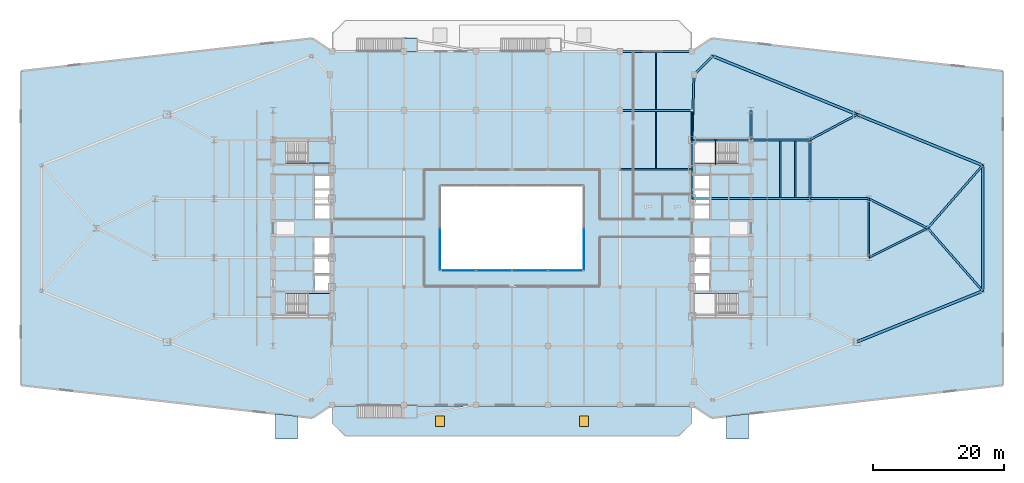
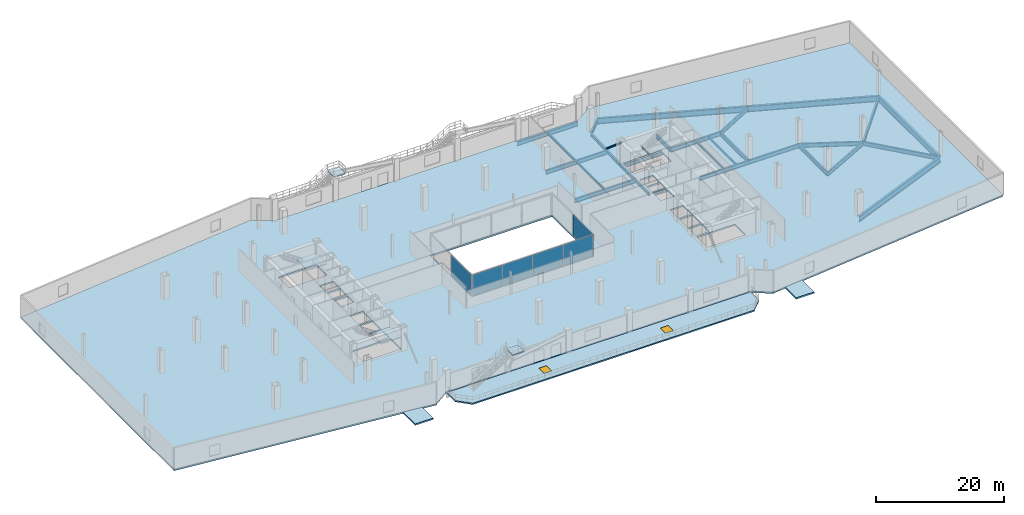
# One storey, part 13 of 25: 29 beams, 8 slabs, 6 plates, 2 windows, 1 member, 2 openings, 7 elements without a shape of their own.
"""IFC4 building model written with IfcOpenShell, lengths in metres."""

from ifc_helpers import new_model, si_unit, direction, frame, origin, origin_2d, place, context, subcontext, project, spatial, polyline, rectangle, hollow_circle, i_section, outline, extrude, source, transform, mapped, material, layer, layer_set, material_profile, profile_set, type_object, type_shapes, element, fill, aggregate, save


model = new_model("IFC4")

# Units and contexts
model_context = context("Model", 3, precision=1e-05, world=origin(), true_north=direction((0.0, 1.0)))
body_context = subcontext(model_context, "Body", "Model", "MODEL_VIEW")
ifc_project = project(units=[si_unit("LENGTHUNIT", "METRE"), si_unit("AREAUNIT", "SQUARE_METRE"), si_unit("VOLUMEUNIT", "CUBIC_METRE"), si_unit("PLANEANGLEUNIT", "RADIAN"), si_unit("MASSUNIT", "GRAM", prefix="KILO")], contexts=[model_context])

# Site, building, storey
site_placement = place(None, origin())
site = spatial("IfcSite", under=ifc_project, at=site_placement, CompositionType="ELEMENT")
building_placement = place(site_placement, origin())
building = spatial("IfcBuilding", under=site, at=building_placement, Name="Seokmaru Belvedere", CompositionType="ELEMENT")
storey_placement = place(building_placement, frame((0.0, 0.0, 5.39990234375)))
storey = spatial("IfcBuildingStorey", under=building, at=storey_placement, Name="L01", CompositionType="ELEMENT", Elevation=5.39990234375)

# Beams
ifc_material_1 = material(Name="Steel SM355 (355 MPa)", Category="steel")
ifc_material_profile_1 = material_profile(ifc_material_1, i_section(OverallWidth=0.300048828125, OverallDepth=0.587890625, WebThickness=0.011962890625, FlangeThickness=0.02001953125, at=origin_2d()), Name="H-588x300x12x20")
ifc_profile_set_1 = profile_set([ifc_material_profile_1], Name="Steel SM355 (355 MPa)")
beam_type_1 = type_object("IfcBeamType", Name="Podium Edge Spandrel Beam H-588", PredefinedType="SPANDREL", material=ifc_profile_set_1)
shared_shape_1 = source(origin(), body_context, "Body", "SweptSolid", [
    extrude(i_section(OverallWidth=0.300048828125, OverallDepth=0.587890625, WebThickness=0.011962890625, FlangeThickness=0.02001953125, at=origin_2d()), origin(), (0.0, 0.0, 1.0), 4.5),
])
for number, where, z_axis, x_axis, name in (
    (1, (27.5, 4.5, -0.573974609375), (0.0, 1.0, 0.0), (-1.0, 0.0, 0.0), "L01 E Portal Spine Spandrel 4"),
    (2, (27.5, 9.0, -0.573974609375), (0.0, 1.0, 0.0), (-1.0, 0.0, 0.0), "L01 E Portal Spine Spandrel 5"),
):
    element("IfcBeam", number, at=place(storey_placement, frame(where, z_axis=z_axis, x_axis=x_axis)), inside=storey, type_object=beam_type_1, Name=name, PredefinedType="SPANDREL", context=body_context, shape_type="MappedRepresentation", body=[
        mapped(shared_shape_1, transform((0.0, 0.0, 0.0), scale=1.0)),
    ])
ifc_material_profile_2 = material_profile(ifc_material_1, i_section(OverallWidth=0.39990234375, OverallDepth=1.10009765625, WebThickness=0.02001953125, FlangeThickness=0.033935546875, at=origin_2d()), Name="BH-1100x400x20x34")
ifc_profile_set_2 = profile_set([ifc_material_profile_2], Name="Steel SM355 (355 MPa)")
beam_type_2 = type_object("IfcBeamType", Name="Sky-Gate Transverse Girder BH-1100", PredefinedType="BEAM", material=ifc_profile_set_2)
shared_shape_2 = source(origin(), body_context, "Body", "SweptSolid", [
    extrude(i_section(OverallWidth=0.39990234375, OverallDepth=1.10009765625, WebThickness=0.02001953125, FlangeThickness=0.033935546875, at=origin_2d()), origin(), (0.0, 0.0, 1.0), 23.811767578125),
])
beam_1_placement = place(storey_placement, frame((30.643310546875, 26.294677734375, -0.829833984375), z_axis=(0.92694579442, -0.375195274766, 0.0), x_axis=(0.375195274766, 0.92694579442, 0.0)))
element("IfcBeam", 3, at=beam_1_placement, inside=storey, type_object=beam_type_2, Name="L01 E Podium Long-Span Flank Girder N-1", PredefinedType="BEAM", context=body_context, shape_type="MappedRepresentation", body=[
    mapped(shared_shape_2, transform((0.0, 0.0, 0.0), scale=1.0)),
])
shared_shape_3 = source(origin(), body_context, "Body", "SweptSolid", [
    extrude(i_section(OverallWidth=0.39990234375, OverallDepth=1.10009765625, WebThickness=0.02001953125, FlangeThickness=0.033935546875, at=origin_2d()), origin(), (0.0, 0.0, 1.0), 20.6962890625),
])
for number, where, z_axis, x_axis, name in (
    (4, (52.715576171875, -17.360595703125, -0.829833984375), (0.92695003666, 0.37518479385, 0.0), (-0.37518479385, 0.92695003666, 0.0), "L01 E Podium Long-Span Flank Girder S-2"),
    (5, (52.715576171875, 17.360595703125, -0.829833984375), (0.92695003666, -0.37518479385, 0.0), (0.37518479385, 0.92695003666, 0.0), "L01 E Podium Long-Span Flank Girder N-2"),
):
    element("IfcBeam", number, at=place(storey_placement, frame(where, z_axis=z_axis, x_axis=x_axis)), inside=storey, type_object=beam_type_2, Name=name, PredefinedType="BEAM", context=body_context, shape_type="MappedRepresentation", body=[
        mapped(shared_shape_3, transform((0.0, 0.0, 0.0), scale=1.0)),
    ])
shared_shape_4 = source(origin(), body_context, "Body", "SweptSolid", [
    extrude(i_section(OverallWidth=0.39990234375, OverallDepth=1.10009765625, WebThickness=0.02001953125, FlangeThickness=0.033935546875, at=origin_2d()), origin(), (0.0, 0.0, 1.0), 19.19140625),
])
type_shapes(beam_type_2, [shared_shape_2, shared_shape_3, shared_shape_4])
beam_2_placement = place(storey_placement, frame((71.89990234375, -9.595703125, -0.829833984375), z_axis=(0.0, 1.0, 0.0), x_axis=(-1.0, 0.0, 0.0)))
element("IfcBeam", 6, at=beam_2_placement, inside=storey, type_object=beam_type_2, Name="L01 E Podium Long-Span Apex Girder", PredefinedType="BEAM", context=body_context, shape_type="MappedRepresentation", body=[
    mapped(shared_shape_4, transform((0.0, 0.0, 0.0), scale=1.0)),
])
shared_shape_5 = source(origin(), body_context, "Body", "SweptSolid", [
    extrude(i_section(OverallWidth=0.300048828125, OverallDepth=0.587890625, WebThickness=0.011962890625, FlangeThickness=0.02001953125, at=origin_2d()), origin(), (0.0, 0.0, 1.0), 9.9560546875),
])
type_shapes(beam_type_1, [shared_shape_1, shared_shape_5])
beam_3_placement = place(storey_placement, frame((27.800048828125, 23.451416015625, -0.573974609375), z_axis=(-0.030137674137, -0.999545757131, 0.0), x_axis=(0.999545757131, -0.030137674137, 0.0)))
element("IfcBeam", 7, at=beam_3_placement, inside=storey, type_object=beam_type_1, Name="L01 E Podium Spine Shoulder Tie N", PredefinedType="SPANDREL", context=body_context, shape_type="MappedRepresentation", body=[
    mapped(shared_shape_5, transform((0.0, 0.0, 0.0), scale=1.0)),
])
ifc_material_profile_3 = material_profile(ifc_material_1, i_section(OverallWidth=0.300048828125, OverallDepth=0.800048828125, WebThickness=0.013916015625, FlangeThickness=0.02587890625, at=origin_2d()), Name="H-800x300x14x26")
ifc_profile_set_3 = profile_set([ifc_material_profile_3], Name="Steel SM355 (355 MPa)")
beam_type_3 = type_object("IfcBeamType", Name="Podium Primary Girder H-800", PredefinedType="BEAM", material=ifc_profile_set_3)
shared_shape_6 = source(origin(), body_context, "Body", "SweptSolid", [
    extrude(i_section(OverallWidth=0.300048828125, OverallDepth=0.800048828125, WebThickness=0.013916015625, FlangeThickness=0.02587890625, at=origin_2d()), origin(), (0.0, 0.0, 1.0), 4.5),
])
beam_4_placement = place(storey_placement, frame((36.5, 13.5, -0.679931640625), z_axis=(0.0, 1.0, 0.0), x_axis=(-1.0, 0.0, 0.0)))
element("IfcBeam", 8, at=beam_4_placement, inside=storey, type_object=beam_type_3, Name="L01 E Core Shoulder Girder N", PredefinedType="BEAM", context=body_context, shape_type="MappedRepresentation", body=[
    mapped(shared_shape_6, transform((0.0, 0.0, 0.0), scale=1.0)),
])
shared_shape_7 = source(origin(), body_context, "Body", "SweptSolid", [
    extrude(i_section(OverallWidth=0.300048828125, OverallDepth=0.800048828125, WebThickness=0.013916015625, FlangeThickness=0.02587890625, at=origin_2d()), origin(), (0.0, 0.0, 1.0), 9.0),
])
for number, where, z_axis, x_axis, name in (
    (9, (45.5, 4.5, -0.679931640625), (0.0, 1.0, 0.0), (-1.0, 0.0, 0.0), "L01 E Interior Grid Girder 3"),
    (10, (27.5, 4.5, -0.679931640625), (1.0, 0.0, 0.0), (0.0, 1.0, 0.0), "L01 E Core Tie Girder 3"),
    (11, (36.5, 4.5, -0.679931640625), (1.0, 0.0, 0.0), (0.0, 1.0, 0.0), "L01 E Wing Primary Girder 3"),
    (12, (27.5, 13.5, -0.679931640625), (1.0, 0.0, 0.0), (0.0, 1.0, 0.0), "L01 E Core Tie Girder 4"),
    (13, (36.5, 13.5, -0.679931640625), (1.0, 0.0, 0.0), (0.0, 1.0, 0.0), "L01 E Wing Primary Girder 4"),
    (14, (45.5, 4.5, -0.679931640625), (1.0, 0.0, 0.0), (0.0, 1.0, 0.0), "L01 E Outer Wing Girder 2"),
    (15, (54.5, -4.5, -0.679931640625), (0.0, 1.0, 0.0), (-1.0, 0.0, 0.0), "L01 E Apex Frame Girder"),
):
    element("IfcBeam", number, at=place(storey_placement, frame(where, z_axis=z_axis, x_axis=x_axis)), inside=storey, type_object=beam_type_3, Name=name, PredefinedType="BEAM", context=body_context, shape_type="MappedRepresentation", body=[
        mapped(shared_shape_7, transform((0.0, 0.0, 0.0), scale=1.0)),
    ])
shared_shape_8 = source(origin(), body_context, "Body", "SweptSolid", [
    extrude(i_section(OverallWidth=0.300048828125, OverallDepth=0.800048828125, WebThickness=0.013916015625, FlangeThickness=0.02587890625, at=origin_2d()), origin(), (0.0, 0.0, 1.0), 10.062255859375),
])
for number, where, z_axis, x_axis, name in (
    (16, (54.5, -4.5, -0.679931640625), (0.894427191, 0.4472135955, 0.0), (-0.4472135955, 0.894427191, 0.0), "L01 E Apex Converging Girder 1"),
    (17, (54.5, 4.5, -0.679931640625), (0.894427191, -0.4472135955, 0.0), (0.4472135955, 0.894427191, 0.0), "L01 E Apex Converging Girder 2"),
):
    element("IfcBeam", number, at=place(storey_placement, frame(where, z_axis=z_axis, x_axis=x_axis)), inside=storey, type_object=beam_type_3, Name=name, PredefinedType="BEAM", context=body_context, shape_type="MappedRepresentation", body=[
        mapped(shared_shape_8, transform((0.0, 0.0, 0.0), scale=1.0)),
    ])
ifc_material_profile_4 = material_profile(ifc_material_1, i_section(OverallWidth=0.199951171875, OverallDepth=0.449951171875, WebThickness=0.009033203125, FlangeThickness=0.013916015625, at=origin_2d()), Name="H-450x200x9x14")
ifc_profile_set_4 = profile_set([ifc_material_profile_4], Name="Steel SM355 (355 MPa)")
beam_type_4 = type_object("IfcBeamType", Name="Podium Secondary Joist H-450", PredefinedType="JOIST", material=ifc_profile_set_4)
shared_shape_9 = source(origin(), body_context, "Body", "SweptSolid", [
    extrude(i_section(OverallWidth=0.199951171875, OverallDepth=0.449951171875, WebThickness=0.009033203125, FlangeThickness=0.013916015625, at=origin_2d()), origin(), (0.0, 0.0, 1.0), 8.68994140625),
])
type_shapes(beam_type_4, [shared_shape_9])
for number, where, z_axis, x_axis, name in (
    (18, (43.25, 4.655029296875, -0.5048828125), (0.0, 1.0, 0.0), (-1.0, 0.0, 0.0), "L01 E Wing Inner Secondary Joist 2"),
    (19, (41.0, 4.655029296875, -0.5048828125), (0.0, 1.0, 0.0), (-1.0, 0.0, 0.0), "L01 E Secondary Floor Joist 3"),
    (20, (22.0, 9.155029296875, -0.5048828125), (0.0, 1.0, 0.0), (-1.0, 0.0, 0.0), "L01 Central Podium Secondary Joist 5-3"),
    (21, (22.0, 18.155029296875, -0.5048828125), (0.0, 1.0, 0.0), (-1.0, 0.0, 0.0), "L01 Central Podium Secondary Joist 5-4"),
):
    element("IfcBeam", number, at=place(storey_placement, frame(where, z_axis=z_axis, x_axis=x_axis)), inside=storey, type_object=beam_type_4, Name=name, PredefinedType="JOIST", context=body_context, shape_type="MappedRepresentation", body=[
        mapped(shared_shape_9, transform((0.0, 0.0, 0.0), scale=1.0)),
    ])
shared_shape_10 = source(origin(), body_context, "Body", "SweptSolid", [
    extrude(i_section(OverallWidth=0.300048828125, OverallDepth=0.800048828125, WebThickness=0.013916015625, FlangeThickness=0.02587890625, at=origin_2d()), origin(), (0.0, 0.0, 1.0), 4.02099609375),
])
beam_5_placement = place(storey_placement, frame((30.643310546875, 26.294677734375, -0.679931640625), z_axis=(-0.707106781187, -0.707106781187, 0.0), x_axis=(0.707106781187, -0.707106781187, 0.0)))
element("IfcBeam", 22, at=beam_5_placement, inside=storey, type_object=beam_type_3, Name="L01 E Podium North Shoulder Girder", PredefinedType="BEAM", context=body_context, shape_type="MappedRepresentation", body=[
    mapped(shared_shape_10, transform((0.0, 0.0, 0.0), scale=1.0)),
])
shared_shape_11 = source(origin(), body_context, "Body", "SweptSolid", [
    extrude(i_section(OverallWidth=0.300048828125, OverallDepth=0.800048828125, WebThickness=0.013916015625, FlangeThickness=0.02587890625, at=origin_2d()), origin(), (0.0, 0.0, 1.0), 8.183349609375),
])
beam_6_placement = place(storey_placement, frame((52.715576171875, 17.360595703125, -0.679931640625), z_axis=(-0.881728657166, -0.47175690258, 0.0), x_axis=(0.47175690258, -0.881728657166, 0.0)))
element("IfcBeam", 23, at=beam_6_placement, inside=storey, type_object=beam_type_3, Name="L01 E Flank Radial Floor Girder N-2", PredefinedType="BEAM", context=body_context, shape_type="MappedRepresentation", body=[
    mapped(shared_shape_11, transform((0.0, 0.0, 0.0), scale=1.0)),
])
shared_shape_12 = source(origin(), body_context, "Body", "SweptSolid", [
    extrude(i_section(OverallWidth=0.300048828125, OverallDepth=0.800048828125, WebThickness=0.013916015625, FlangeThickness=0.02587890625, at=origin_2d()), origin(), (0.0, 0.0, 1.0), 12.7529296875),
])
for number, where, z_axis, x_axis, name in (
    (24, (71.89990234375, -9.595703125, -0.679931640625), (-0.658667231479, 0.752434368019, 0.0), (-0.752434368019, -0.658667231479, 0.0), "L01 E Apex Radial Floor Girder 1"),
    (25, (71.89990234375, 9.595703125, -0.679931640625), (-0.658667231479, -0.752434368019, 0.0), (0.752434368019, -0.658667231479, 0.0), "L01 E Apex Radial Floor Girder 2"),
):
    element("IfcBeam", number, at=place(storey_placement, frame(where, z_axis=z_axis, x_axis=x_axis)), inside=storey, type_object=beam_type_3, Name=name, PredefinedType="BEAM", context=body_context, shape_type="MappedRepresentation", body=[
        mapped(shared_shape_12, transform((0.0, 0.0, 0.0), scale=1.0)),
    ])
shared_shape_13 = source(origin(), body_context, "Body", "SweptSolid", [
    extrude(i_section(OverallWidth=0.300048828125, OverallDepth=0.800048828125, WebThickness=0.013916015625, FlangeThickness=0.02587890625, at=origin_2d()), origin(), (0.0, 0.0, 1.0), 11.0),
])
type_shapes(beam_type_3, [shared_shape_6, shared_shape_7, shared_shape_8, shared_shape_10, shared_shape_11, shared_shape_12, shared_shape_13])
for number, where, z_axis, x_axis, name in (
    (26, (16.5, 9.0, -0.679931640625), (1.0, 0.0, 0.0), (0.0, 1.0, 0.0), "L01 Central Podium Girder 4-5"),
    (27, (16.5, 18.0, -0.679931640625), (1.0, 0.0, 0.0), (0.0, 1.0, 0.0), "L01 Central Podium Girder 5-5"),
    (28, (16.5, 27.0, -0.679931640625), (1.0, 0.0, 0.0), (0.0, 1.0, 0.0), "L01 Central Podium Girder 6-5"),
):
    element("IfcBeam", number, at=place(storey_placement, frame(where, z_axis=z_axis, x_axis=x_axis)), inside=storey, type_object=beam_type_3, Name=name, PredefinedType="BEAM", context=body_context, shape_type="MappedRepresentation", body=[
        mapped(shared_shape_13, transform((0.0, 0.0, 0.0), scale=1.0)),
    ])

# Member
ifc_material_profile_5 = material_profile(ifc_material_1, hollow_circle(Radius=0.1337890625, WallThickness=0.00927734375, at=origin_2d()), Name="CHS-267.4x9.3")
ifc_profile_set_5 = profile_set([ifc_material_profile_5], Name="Steel SM355 (355 MPa)")
member_type = type_object("IfcMemberType", Name="Canopy Tie Strut CHS-267", PredefinedType="BRACE", material=ifc_profile_set_5)
shared_shape_14 = source(origin(), body_context, "Body", "SweptSolid", [
    extrude(hollow_circle(Radius=0.1337890625, WallThickness=0.00927734375, at=origin_2d()), origin(), (0.0, 0.0, 1.0), 5.90283203125),
])
type_shapes(member_type, [shared_shape_14])
member_placement = place(storey_placement, frame((27.5, 18.0, 0.0), z_axis=(0.0, -0.76235144486, 0.64716325183), x_axis=(1.0, 0.0, 0.0)))
element("IfcMember", 29, at=member_placement, inside=storey, type_object=member_type, Name="L01 Podium Portal Tie Strut EN", PredefinedType="BRACE", context=body_context, shape_type="MappedRepresentation", body=[
    mapped(shared_shape_14, transform((0.0, 0.0, 0.0), scale=1.0)),
])

# Beam
ifc_material_profile_6 = material_profile(ifc_material_1, i_section(OverallWidth=0.125, OverallDepth=0.25, WebThickness=0.006103515625, FlangeThickness=0.009033203125, at=origin_2d()), Name="H-250x125x6x9")
ifc_profile_set_6 = profile_set([ifc_material_profile_6], Name="Steel SM355 (355 MPa)")
beam_type_5 = type_object("IfcBeamType", Name="Stair Mid-Landing Support Beam H-250", PredefinedType="JOIST", material=ifc_profile_set_6)
shared_shape_15 = source(origin(), body_context, "Body", "SweptSolid", [
    extrude(i_section(OverallWidth=0.125, OverallDepth=0.25, WebThickness=0.006103515625, FlangeThickness=0.009033203125, at=origin_2d()), origin(), (0.0, 0.0, 1.0), 3.800048828125),
])
type_shapes(beam_type_5, [shared_shape_15])
beam_7_placement = place(storey_placement, frame((31.090087890625, 9.699951171875, 1.925048828125), z_axis=(0.0, 1.0, 0.0), x_axis=(-1.0, 0.0, 0.0)))
element("IfcBeam", 30, at=beam_7_placement, inside=storey, type_object=beam_type_5, Name="L01 Stair ST-E2 Mid-Landing Support Beam 1", PredefinedType="JOIST", context=body_context, shape_type="MappedRepresentation", body=[
    mapped(shared_shape_15, transform((0.0, 0.0, 0.0), scale=1.0)),
])

# Slab, openings, windows
ifc_material_2 = material(Name="Concrete C40 (40 MPa)", Category="concrete")
ifc_layer_1 = layer(ifc_material_2, 0.239990234375)
ifc_layer_set_1 = layer_set([ifc_layer_1], Name="Concrete C40 (40 MPa)")
slab_type_1 = type_object("IfcSlabType", Name="Planted Garden Terrace Slab 240", PredefinedType="ROOF", material=ifc_layer_set_1)
slab_1_placement = place(storey_placement, frame((0.0, 0.0, -0.239990234375)))
slab_1 = element("IfcSlab", 31, at=slab_1_placement, inside=storey, type_object=slab_type_1, Name="L01 Cascading Planted Garden Terrace South", PredefinedType="ROOF", context=body_context, shape_type="SweptSolid", body=[
    extrude(outline(polyline([(-25.449951171875, -31.800048828125), (25.449951171875, -31.800048828125), (27.449951171875, -29.800048828125), (27.449951171875, -27.159912109375), (-27.449951171875, -27.159912109375), (-27.449951171875, -29.800048828125), (-25.449951171875, -31.800048828125)])), origin(), (0.0, 0.0, 1.0), 0.239990234375),
])
opening_1_placement = place(slab_1_placement, frame((-11.0, -29.47998046875, -0.010009765625)))
opening_1 = element("IfcOpeningElement", 32, at=opening_1_placement, cuts=slab_1, Name="Opening SK3", PredefinedType="OPENING", context=body_context, shape_type="SweptSolid", body=[
    extrude(rectangle(XDim=1.39990234375, YDim=1.60009765625, at=origin_2d()), origin(), (0.0, 0.0, 1.0), 0.260009765625),
])
opening_2_placement = place(slab_1_placement, frame((11.0, -29.47998046875, -0.010009765625)))
opening_2 = element("IfcOpeningElement", 33, at=opening_2_placement, cuts=slab_1, Name="Opening SK3", PredefinedType="OPENING", context=body_context, shape_type="SweptSolid", body=[
    extrude(rectangle(XDim=1.39990234375, YDim=1.60009765625, at=origin_2d()), origin(), (0.0, 0.0, 1.0), 0.260009765625),
])
ifc_material_3 = material(Name="Bronze Triple Insulating Glass", Category="glass")
window_type = type_object("IfcWindowType", Name="Podium Concourse Roof Atrium Skylight 1400x1600", PartitioningType="SINGLE_PANEL", PredefinedType="SKYLIGHT", material=ifc_material_3)
window_1_placement = place(opening_1_placement, frame((0.0, 0.0, 0.199951171875)))
window_1 = element("IfcWindow", 34, at=window_1_placement, inside=storey, type_object=window_type, Name="L01 South Podium Roof Atrium Skylight 1", OverallHeight=1.60009765625, OverallWidth=1.39990234375, PartitioningType="SINGLE_PANEL", PredefinedType="SKYLIGHT", context=body_context, shape_type="SweptSolid", body=[
    extrude(rectangle(XDim=1.39990234375, YDim=1.60009765625, at=origin_2d()), origin(), (0.0, 0.0, 1.0), 0.050048828125),
])
fill(opening_1, window_1)
window_2_placement = place(opening_2_placement, frame((0.0, 0.0, 0.199951171875)))
window_2 = element("IfcWindow", 35, at=window_2_placement, inside=storey, type_object=window_type, Name="L01 South Podium Roof Atrium Skylight 2", OverallHeight=1.60009765625, OverallWidth=1.39990234375, PartitioningType="SINGLE_PANEL", PredefinedType="SKYLIGHT", context=body_context, shape_type="SweptSolid", body=[
    extrude(rectangle(XDim=1.39990234375, YDim=1.60009765625, at=origin_2d()), origin(), (0.0, 0.0, 1.0), 0.050048828125),
])
fill(opening_2, window_2)

# Slabs
ifc_material_4 = material(Name="Concrete C50 (50 MPa)", Category="concrete")
ifc_layer_2 = layer(ifc_material_4, 0.280029296875)
ifc_layer_set_2 = layer_set([ifc_layer_2], Name="Concrete C50 (50 MPa)")
slab_type_2 = type_object("IfcSlabType", Name="Podium Composite Floor Slab 280", PredefinedType="FLOOR", material=ifc_layer_set_2)
slab_2_placement = place(storey_placement, frame((0.0, 0.0, -0.27978515625)))
element("IfcSlab", 36, at=slab_2_placement, inside=storey, type_object=slab_type_2, Name="L01 Structural Floor Slab", PredefinedType="FLOOR", context=body_context, shape_type="SweptSolid", body=[
    extrude(outline(polyline([(-75.0, -24.0), (-30.5, -29.0), (-27.5, -27.0), (27.5, -27.0), (30.5, -29.0), (75.0, -24.0), (75.0, 24.0), (30.5, 29.0), (27.5, 27.0), (-27.5, 27.0), (-30.5, 29.0), (-75.0, 24.0), (-75.0, -24.0)]), holes=[polyline([(-34.60009765625, -13.25), (-27.75, -13.25), (-27.75, -9.949951171875), (-34.60009765625, -9.949951171875), (-34.60009765625, -13.25)]), polyline([(-34.60009765625, 9.949951171875), (-27.75, 9.949951171875), (-27.75, 13.25), (-34.60009765625, 13.25), (-34.60009765625, 9.949951171875)]), polyline([(27.75, -13.25), (34.60009765625, -13.25), (34.60009765625, -9.949951171875), (27.75, -9.949951171875), (27.75, -13.25)]), polyline([(27.75, 9.949951171875), (34.60009765625, 9.949951171875), (34.60009765625, 13.25), (27.75, 13.25), (27.75, 9.949951171875)]), polyline([(-30.14990234375, -9.550048828125), (-27.75, -9.550048828125), (-27.75, -7.25), (-30.14990234375, -7.25), (-30.14990234375, -9.550048828125)]), polyline([(-30.14990234375, -6.949951171875), (-27.75, -6.949951171875), (-27.75, -4.35009765625), (-30.14990234375, -4.35009765625), (-30.14990234375, -6.949951171875)]), polyline([(-30.14990234375, -4.050048828125), (-27.75, -4.050048828125), (-27.75, -1.449951171875), (-30.14990234375, -1.449951171875), (-30.14990234375, -4.050048828125)]), polyline([(-30.14990234375, 1.449951171875), (-27.75, 1.449951171875), (-27.75, 3.449951171875), (-30.14990234375, 3.449951171875), (-30.14990234375, 1.449951171875)]), polyline([(-30.14990234375, 3.75), (-27.75, 3.75), (-27.75, 5.75), (-30.14990234375, 5.75), (-30.14990234375, 3.75)]), polyline([(-30.14990234375, 6.050048828125), (-27.75, 6.050048828125), (-27.75, 8.050048828125), (-30.14990234375, 8.050048828125), (-30.14990234375, 6.050048828125)]), polyline([(27.75, -9.550048828125), (30.14990234375, -9.550048828125), (30.14990234375, -7.25), (27.75, -7.25), (27.75, -9.550048828125)]), polyline([(27.75, -6.949951171875), (30.14990234375, -6.949951171875), (30.14990234375, -4.35009765625), (27.75, -4.35009765625), (27.75, -6.949951171875)]), polyline([(27.75, -4.050048828125), (30.14990234375, -4.050048828125), (30.14990234375, -1.449951171875), (27.75, -1.449951171875), (27.75, -4.050048828125)]), polyline([(27.75, 1.449951171875), (30.14990234375, 1.449951171875), (30.14990234375, 3.449951171875), (27.75, 3.449951171875), (27.75, 1.449951171875)]), polyline([(27.75, 3.75), (30.14990234375, 3.75), (30.14990234375, 5.75), (27.75, 5.75), (27.75, 3.75)]), polyline([(27.75, 6.050048828125), (30.14990234375, 6.050048828125), (30.14990234375, 8.050048828125), (27.75, 8.050048828125), (27.75, 6.050048828125)]), polyline([(-11.0, -6.5), (11.0, -6.5), (11.0, 6.5), (-11.0, 6.5), (-11.0, -6.5)])]), origin(), (0.0, 0.0, 1.0), 0.27978515625),
])
slab_3_placement = place(storey_placement, frame((0.0, 0.0, -0.27978515625)))
element("IfcSlab", 37, at=slab_3_placement, inside=storey, type_object=slab_type_2, Name="L01 Exit Passage Roof Slab West", PredefinedType="FLOOR", context=body_context, shape_type="SweptSolid", body=[
    extrude(outline(polyline([(-36.10009765625, -32.179931640625), (-32.800048828125, -32.179931640625), (-32.800048828125, -28.74169921875), (-36.10009765625, -28.370849609375), (-36.10009765625, -32.179931640625)])), origin(), (0.0, 0.0, 1.0), 0.27978515625),
])
slab_4_placement = place(storey_placement, frame((0.0, 0.0, -0.27978515625)))
element("IfcSlab", 38, at=slab_4_placement, inside=storey, type_object=slab_type_2, Name="L01 Exit Passage Roof Slab East", PredefinedType="FLOOR", context=body_context, shape_type="SweptSolid", body=[
    extrude(outline(polyline([(32.800048828125, -32.179931640625), (36.10009765625, -32.179931640625), (36.10009765625, -28.370849609375), (32.800048828125, -28.74169921875), (32.800048828125, -32.179931640625)])), origin(), (0.0, 0.0, 1.0), 0.27978515625),
])

# Stair, slab
stair_type_1 = type_object("IfcStairType", Name="Cascading Podium Core Dog-Leg Stair 4500", PredefinedType="TWO_STRAIGHT_RUN_STAIR", material=ifc_material_2)
stair_1_placement = place(storey_placement, origin())
stair_1 = element("IfcStair", 39, at=stair_1_placement, inside=storey, type_object=stair_type_1, Name="L01 Special Escape Stair ST-W1", PredefinedType="TWO_STRAIGHT_RUN_STAIR")
ifc_layer_3 = layer(ifc_material_2, 0.199951171875)
ifc_layer_set_3 = layer_set([ifc_layer_3], Name="Concrete C40 (40 MPa)")
slab_type_3 = type_object("IfcSlabType", Name="Reinforced Concrete Stair Landing Slab 200", PredefinedType="LANDING", material=ifc_layer_set_3)
slab_5_placement = place(storey_placement, frame((0.0, 0.0, 2.050048828125)))
slab_5 = element("IfcSlab", 40, at=slab_5_placement, type_object=slab_type_3, Name="ST-W1 landing 1", PredefinedType="LANDING", context=body_context, shape_type="SweptSolid", body=[
    extrude(outline(polyline([(-31.320068359375, -13.239990234375), (-27.760009765625, -13.239990234375), (-27.760009765625, -9.949951171875), (-31.320068359375, -9.949951171875), (-31.320068359375, -13.239990234375)])), origin(), (0.0, 0.0, 1.0), 0.199951171875),
])
aggregate(stair_1, [slab_5])

stair_2_placement = place(storey_placement, origin())
stair_2 = element("IfcStair", 41, at=stair_2_placement, inside=storey, type_object=stair_type_1, Name="L01 Special Escape Stair ST-W2", PredefinedType="TWO_STRAIGHT_RUN_STAIR")
slab_6_placement = place(storey_placement, frame((0.0, 0.0, 2.050048828125)))
slab_6 = element("IfcSlab", 42, at=slab_6_placement, type_object=slab_type_3, Name="ST-W2 landing 1", PredefinedType="LANDING", context=body_context, shape_type="SweptSolid", body=[
    extrude(outline(polyline([(-31.320068359375, 9.949951171875), (-27.760009765625, 9.949951171875), (-27.760009765625, 13.239990234375), (-31.320068359375, 13.239990234375), (-31.320068359375, 9.949951171875)])), origin(), (0.0, 0.0, 1.0), 0.199951171875),
])
aggregate(stair_2, [slab_6])

stair_type_2 = type_object("IfcStairType", Name="Cascading Garden Terrace Feature Straight Stair 1800", PredefinedType="STRAIGHT_RUN_STAIR", material=ifc_material_2)
stair_3_placement = place(storey_placement, origin())
stair_3 = element("IfcStair", 43, at=stair_3_placement, inside=storey, type_object=stair_type_2, Name="L01 Cascading Terrace Straight Stair N1", PredefinedType="STRAIGHT_RUN_STAIR")
slab_7_placement = place(storey_placement, frame((0.0, 0.0, 4.300048828125)))
slab_7 = element("IfcSlab", 44, at=slab_7_placement, type_object=slab_type_3, Name="ST-T1 landing 1", PredefinedType="LANDING", context=body_context, shape_type="SweptSolid", body=[
    extrude(outline(polyline([(-16.614990234375, 27.02001953125), (-14.534912109375, 27.02001953125), (-14.534912109375, 29.0), (-16.614990234375, 29.0), (-16.614990234375, 27.02001953125)])), origin(), (0.0, 0.0, 1.0), 0.199951171875),
])
aggregate(stair_3, [slab_7])

stair_4_placement = place(storey_placement, origin())
stair_4 = element("IfcStair", 45, at=stair_4_placement, inside=storey, type_object=stair_type_2, Name="L01 Cascading Terrace Straight Stair S1", PredefinedType="STRAIGHT_RUN_STAIR")
slab_8_placement = place(storey_placement, frame((0.0, 0.0, 4.300048828125)))
slab_8 = element("IfcSlab", 46, at=slab_8_placement, type_object=slab_type_3, Name="ST-T3 landing 1", PredefinedType="LANDING", context=body_context, shape_type="SweptSolid", body=[
    extrude(outline(polyline([(-16.614990234375, -29.0), (-14.534912109375, -29.0), (-14.534912109375, -27.02001953125), (-16.614990234375, -27.02001953125), (-16.614990234375, -29.0)])), origin(), (0.0, 0.0, 1.0), 0.199951171875),
])
aggregate(stair_4, [slab_8])

# Curtain wall, plates
ifc_layer_4 = layer(ifc_material_3, 0.219970703125)
ifc_layer_set_4 = layer_set([ifc_layer_4], Name="Bronze Triple Insulating Glass")
curtain_wall_type = type_object("IfcCurtainWallType", Name="Podium Concourse Curtain Wall System CW-1", PredefinedType="NOTDEFINED", material=ifc_layer_set_4)
curtain_wall_1_placement = place(storey_placement, origin())
curtain_wall_1 = element("IfcCurtainWall", 47, at=curtain_wall_1_placement, inside=storey, type_object=curtain_wall_type, Name="L01 Curtain Wall AT_S", PredefinedType="NOTDEFINED")
ifc_layer_5 = layer(ifc_material_3, 0.035888671875)
ifc_layer_set_5 = layer_set([ifc_layer_5], Name="Bronze Triple Insulating Glass")
plate_type = type_object("IfcPlateType", Name="Bronze Triple Vision Glazing Panel 36", PredefinedType="CURTAIN_PANEL", material=ifc_layer_set_5)
shared_shape_16 = source(origin(), body_context, "Body", "SweptSolid", [
    extrude(rectangle(XDim=5.3701171875, YDim=0.035888671875, at=origin_2d()), origin(), (0.0, 0.0, 1.0), 4.070068359375),
])
plate_1_placement = place(storey_placement, frame((-8.215087890625, -6.5, 0.0751953125), z_axis=(0.0, 0.0, 1.0), x_axis=(1.0, 0.0, 0.0)))
plate_1 = element("IfcPlate", 48, at=plate_1_placement, type_object=plate_type, Name="CW:L01:AT_S Glazing Panel 1-1", PredefinedType="CURTAIN_PANEL", context=body_context, shape_type="MappedRepresentation", body=[
    mapped(shared_shape_16, transform((0.0, 0.0, 0.0), scale=1.0)),
])
plate_2_placement = place(storey_placement, frame((8.215087890625, -6.5, 0.0751953125), z_axis=(0.0, 0.0, 1.0), x_axis=(1.0, 0.0, 0.0)))
plate_2 = element("IfcPlate", 49, at=plate_2_placement, type_object=plate_type, Name="CW:L01:AT_S Glazing Panel 4-1", PredefinedType="CURTAIN_PANEL", context=body_context, shape_type="MappedRepresentation", body=[
    mapped(shared_shape_16, transform((0.0, 0.0, 0.0), scale=1.0)),
])
shared_shape_17 = source(origin(), body_context, "Body", "SweptSolid", [
    extrude(rectangle(XDim=5.409912109375, YDim=0.035888671875, at=origin_2d()), origin(), (0.0, 0.0, 1.0), 4.070068359375),
])
plate_3_placement = place(storey_placement, frame((-2.7451171875, -6.5, 0.0751953125), z_axis=(0.0, 0.0, 1.0), x_axis=(1.0, 0.0, 0.0)))
plate_3 = element("IfcPlate", 50, at=plate_3_placement, type_object=plate_type, Name="CW:L01:AT_S Glazing Panel 2-1", PredefinedType="CURTAIN_PANEL", context=body_context, shape_type="MappedRepresentation", body=[
    mapped(shared_shape_17, transform((0.0, 0.0, 0.0), scale=1.0)),
])
plate_4_placement = place(storey_placement, frame((2.7451171875, -6.5, 0.0751953125), z_axis=(0.0, 0.0, 1.0), x_axis=(1.0, 0.0, 0.0)))
plate_4 = element("IfcPlate", 51, at=plate_4_placement, type_object=plate_type, Name="CW:L01:AT_S Glazing Panel 3-1", PredefinedType="CURTAIN_PANEL", context=body_context, shape_type="MappedRepresentation", body=[
    mapped(shared_shape_17, transform((0.0, 0.0, 0.0), scale=1.0)),
])
aggregate(curtain_wall_1, [plate_1, plate_3, plate_4, plate_2])

# Curtain wall, plate
curtain_wall_2_placement = place(storey_placement, origin())
curtain_wall_2 = element("IfcCurtainWall", 52, at=curtain_wall_2_placement, inside=storey, type_object=curtain_wall_type, Name="L01 Curtain Wall AT_E", PredefinedType="NOTDEFINED")
shared_shape_18 = source(origin(), body_context, "Body", "SweptSolid", [
    extrude(rectangle(XDim=6.360107421875, YDim=0.035888671875, at=origin_2d()), origin(), (0.0, 0.0, 1.0), 4.070068359375),
])
type_shapes(plate_type, [shared_shape_16, shared_shape_17, shared_shape_18])
plate_5_placement = place(storey_placement, frame((11.0, -3.219970703125, 0.0751953125), z_axis=(0.0, 0.0, 1.0), x_axis=(0.0, 1.0, 0.0)))
plate_5 = element("IfcPlate", 53, at=plate_5_placement, type_object=plate_type, Name="CW:L01:AT_E Glazing Panel 1-1", PredefinedType="CURTAIN_PANEL", context=body_context, shape_type="MappedRepresentation", body=[
    mapped(shared_shape_18, transform((0.0, 0.0, 0.0), scale=1.0)),
])
aggregate(curtain_wall_2, [plate_5])

curtain_wall_3_placement = place(storey_placement, origin())
curtain_wall_3 = element("IfcCurtainWall", 54, at=curtain_wall_3_placement, inside=storey, type_object=curtain_wall_type, Name="L01 Curtain Wall AT_W", PredefinedType="NOTDEFINED")
plate_6_placement = place(storey_placement, frame((-11.0, -3.219970703125, 0.0751953125), z_axis=(0.0, 0.0, 1.0), x_axis=(0.0, -1.0, 0.0)))
plate_6 = element("IfcPlate", 55, at=plate_6_placement, type_object=plate_type, Name="CW:L01:AT_W Glazing Panel 2-1", PredefinedType="CURTAIN_PANEL", context=body_context, shape_type="MappedRepresentation", body=[
    mapped(shared_shape_18, transform((0.0, 0.0, 0.0), scale=1.0)),
])
aggregate(curtain_wall_3, [plate_6])

save(model, "model.ifc")
